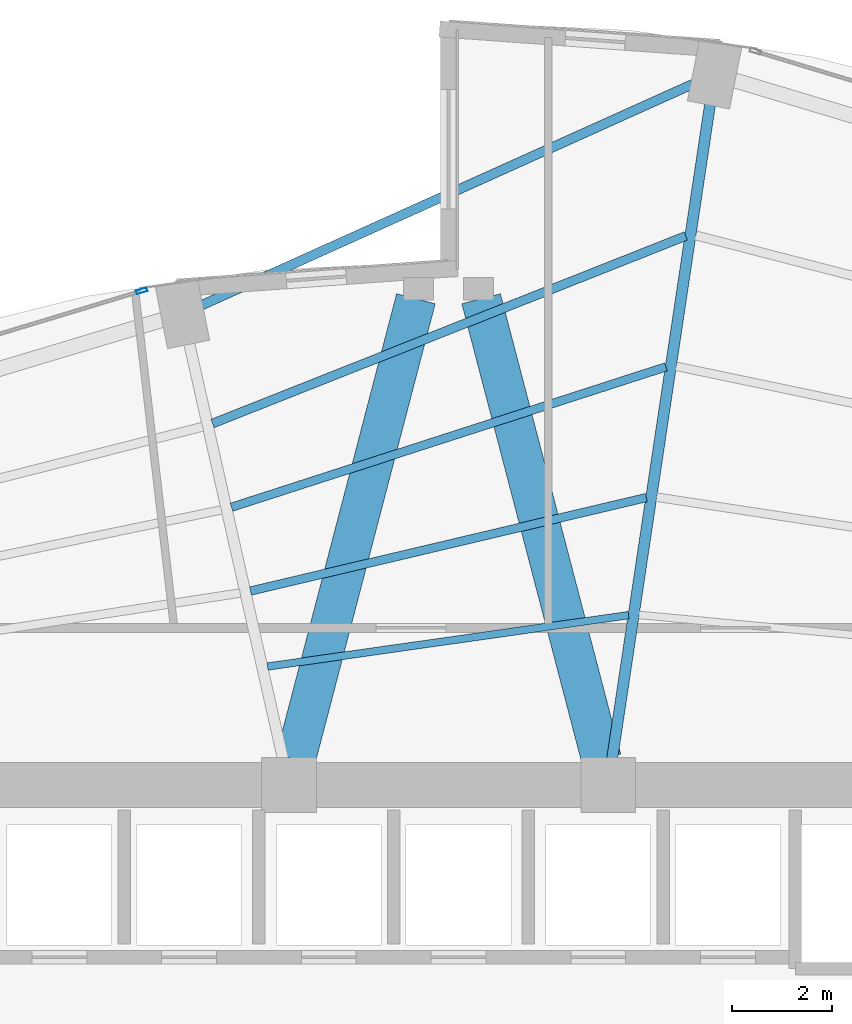
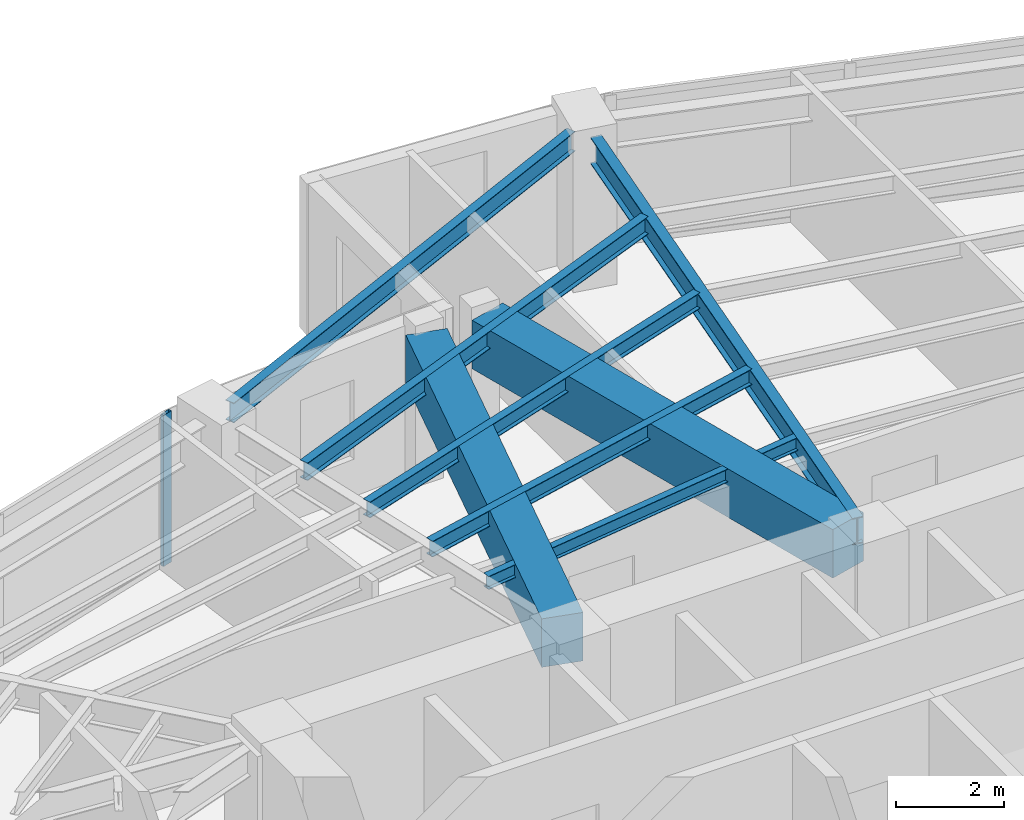
# One storey, part 15 of 24: 8 beams, 1 member, 1 element without a shape of its own.
"""IFC4 building model written with IfcOpenShell, lengths in metres."""

from ifc_helpers import new_model, si_unit, direction, frame, origin, origin_2d, place, context, subcontext, project, spatial, rectangle, hollow_rectangle, i_section, extrude, material, layer, layer_set, material_profile, profile_set, type_object, element, aggregate, save


model = new_model("IFC4")

# Units and contexts
model_context = context("Model", 3, precision=1e-05, world=origin(), true_north=direction((0.0, 1.0)))
body_context = subcontext(model_context, "Body", "Model", "MODEL_VIEW")
ifc_project = project(units=[si_unit("LENGTHUNIT", "METRE"), si_unit("AREAUNIT", "SQUARE_METRE"), si_unit("VOLUMEUNIT", "CUBIC_METRE"), si_unit("PLANEANGLEUNIT", "RADIAN"), si_unit("MASSUNIT", "GRAM", prefix="KILO")], contexts=[model_context])

# Site, building, storey
site_placement = place(None, origin())
site = spatial("IfcSite", under=ifc_project, at=site_placement, CompositionType="ELEMENT")
building_placement = place(site_placement, origin())
building = spatial("IfcBuilding", under=site, at=building_placement, Name="Lazwardi Medical Tower", CompositionType="ELEMENT")
storey_placement = place(building_placement, frame((0.0, 0.0, 68.97607421875)))
storey = spatial("IfcBuildingStorey", under=building, at=storey_placement, Name="L17", CompositionType="ELEMENT", Elevation=68.97607421875)

# Beams
ifc_material_1 = material(Name="Concrete C70/85", Category="concrete")
ifc_material_profile_1 = material_profile(ifc_material_1, rectangle(XDim=0.800048828125, YDim=1.10009765625, at=origin_2d()), Name="RC 800x1100")
ifc_profile_set_1 = profile_set([ifc_material_profile_1], Name="Concrete C70/85")
beam_type_1 = type_object("IfcBeamType", Name="BM-CB-RC1", PredefinedType="LINTEL", material=ifc_profile_set_1)
for number, where, z_axis, x_axis, name in (
    (1, (32.935302734375, 36.11767578125, 2.8779296875), (0.252819877511, 0.967513364009, 0.0), (-0.967513364009, 0.252819877511, 0.0), "Core coupling lintel CB-01 PL1 L17"),
    (2, (39.064697265625, 36.11767578125, 2.8779296875), (-0.252819877511, 0.967513364009, 0.0), (-0.967513364009, -0.252819877511, 0.0), "Core coupling lintel CB-01 PL2 L17"),
):
    element("IfcBeam", number, at=place(storey_placement, frame(where, z_axis=z_axis, x_axis=x_axis)), inside=storey, type_object=beam_type_1, Name=name, PredefinedType="LINTEL", context=body_context, shape_type="SweptSolid", body=[
        extrude(rectangle(XDim=0.800048828125, YDim=1.10009765625, at=origin_2d()), origin(), (0.0, 0.0, 1.0), 9.538818359375),
    ])
ifc_material_2 = material(Name="Steel S355", Category="steel")
ifc_material_profile_2 = material_profile(ifc_material_2, i_section(OverallWidth=0.219970703125, OverallDepth=0.60009765625, WebThickness=0.011962890625, FlangeThickness=0.01904296875, at=origin_2d()), Name="IPE 600")
ifc_profile_set_2 = profile_set([ifc_material_profile_2], Name="Steel S355")
beam_type_2 = type_object("IfcBeamType", Name="BM-RG-W1", PredefinedType="BEAM", material=ifc_profile_set_2)
beam_1_placement = place(storey_placement, frame((41.2451171875, 49.2705078125, 3.1279296875), z_axis=(-0.147944218183, -0.98899570692, 0.0), x_axis=(0.98899570692, -0.147944218183, 0.0)))
element("IfcBeam", 3, at=beam_1_placement, inside=storey, type_object=beam_type_2, Name="Radial girder RG-02 R08 L17", PredefinedType="BEAM", context=body_context, shape_type="SweptSolid", body=[
    extrude(i_section(OverallWidth=0.219970703125, OverallDepth=0.60009765625, WebThickness=0.011962890625, FlangeThickness=0.01904296875, at=origin_2d()), origin(), (0.0, 0.0, 1.0), 13.28759765625),
])
ifc_material_profile_3 = material_profile(ifc_material_2, i_section(OverallWidth=0.179931640625, OverallDepth=0.39990234375, WebThickness=0.008544921875, FlangeThickness=0.013427734375, at=origin_2d()), Name="IPE 400")
ifc_profile_set_3 = profile_set([ifc_material_profile_3], Name="Steel S355")
beam_type_3 = type_object("IfcBeamType", Name="BM-SJ-01", PredefinedType="JOIST", material=ifc_profile_set_3)
beam_2_placement = place(storey_placement, frame((40.754150390625, 46.603515625, 3.22802734375), z_axis=(-0.929663713752, -0.368409255222, 0.0), x_axis=(0.368409255222, -0.929663713752, 0.0)))
element("IfcBeam", 4, at=beam_2_placement, inside=storey, type_object=beam_type_3, Name="Secondary joist SJ-01 R1 B08 L17", PredefinedType="JOIST", context=body_context, shape_type="SweptSolid", body=[
    extrude(i_section(OverallWidth=0.179931640625, OverallDepth=0.39990234375, WebThickness=0.008544921875, FlangeThickness=0.013427734375, at=origin_2d()), origin(), (0.0, 0.0, 1.0), 10.2001953125),
])
ifc_material_profile_4 = material_profile(ifc_material_2, i_section(OverallWidth=0.169921875, OverallDepth=0.360107421875, WebThickness=0.008056640625, FlangeThickness=0.0126953125, at=origin_2d()), Name="IPE 360")
ifc_profile_set_4 = profile_set([ifc_material_profile_4], Name="Steel S355")
beam_type_4 = type_object("IfcBeamType", Name="BM-SJ-02", PredefinedType="JOIST", material=ifc_profile_set_4)
beam_3_placement = place(storey_placement, frame((40.35888671875, 43.981689453125, 3.248046875), z_axis=(-0.951558895485, -0.307466532199, 0.0), x_axis=(0.307466532199, -0.951558895485, 0.0)))
element("IfcBeam", 5, at=beam_3_placement, inside=storey, type_object=beam_type_4, Name="Secondary joist SJ-02 R2 B08 L17", PredefinedType="JOIST", context=body_context, shape_type="SweptSolid", body=[
    extrude(i_section(OverallWidth=0.169921875, OverallDepth=0.360107421875, WebThickness=0.008056640625, FlangeThickness=0.0126953125, at=origin_2d()), origin(), (0.0, 0.0, 1.0), 9.1513671875),
])
beam_4_placement = place(storey_placement, frame((39.96337890625, 41.361572265625, 3.248046875), z_axis=(-0.973240904247, -0.229787167397, 0.0), x_axis=(0.229787167397, -0.973240904247, 0.0)))
element("IfcBeam", 6, at=beam_4_placement, inside=storey, type_object=beam_type_4, Name="Secondary joist SJ-02 R3 B08 L17", PredefinedType="JOIST", context=body_context, shape_type="SweptSolid", body=[
    extrude(i_section(OverallWidth=0.169921875, OverallDepth=0.360107421875, WebThickness=0.008056640625, FlangeThickness=0.0126953125, at=origin_2d()), origin(), (0.0, 0.0, 1.0), 8.151123046875),
])
ifc_material_profile_5 = material_profile(ifc_material_2, i_section(OverallWidth=0.14990234375, OverallDepth=0.300048828125, WebThickness=0.007080078125, FlangeThickness=0.0107421875, at=origin_2d()), Name="IPE 300")
ifc_profile_set_5 = profile_set([ifc_material_profile_5], Name="Steel S355")
beam_type_5 = type_object("IfcBeamType", Name="BM-SJ-03", PredefinedType="JOIST", material=ifc_profile_set_5)
beam_5_placement = place(storey_placement, frame((39.607666015625, 39.00537109375, 3.27783203125), z_axis=(-0.99001552228, -0.140958382672, 0.0), x_axis=(0.140958382672, -0.99001552228, 0.0)))
element("IfcBeam", 7, at=beam_5_placement, inside=storey, type_object=beam_type_5, Name="Secondary joist SJ-03 R4 B08 L17", PredefinedType="JOIST", context=body_context, shape_type="SweptSolid", body=[
    extrude(i_section(OverallWidth=0.14990234375, OverallDepth=0.300048828125, WebThickness=0.007080078125, FlangeThickness=0.0107421875, at=origin_2d()), origin(), (0.0, 0.0, 1.0), 7.30908203125),
])
ifc_material_profile_6 = material_profile(ifc_material_2, i_section(OverallWidth=0.18994140625, OverallDepth=0.449951171875, WebThickness=0.009521484375, FlangeThickness=0.0146484375, at=origin_2d()), Name="IPE 450")
ifc_profile_set_6 = profile_set([ifc_material_profile_6], Name="Steel S355")
beam_type_6 = type_object("IfcBeamType", Name="BM-SP-01", PredefinedType="SPANDREL", material=ifc_profile_set_6)
beam_6_placement = place(storey_placement, frame((40.94775390625, 49.671630859375, 3.202880859375), z_axis=(-0.91184908894, -0.410525564368, 0.0), x_axis=(0.410525564368, -0.91184908894, 0.0)))
element("IfcBeam", 8, at=beam_6_placement, inside=storey, type_object=beam_type_6, Name="Spandrel beam SP-01 B08 L17", PredefinedType="SPANDREL", context=body_context, shape_type="SweptSolid", body=[
    extrude(i_section(OverallWidth=0.18994140625, OverallDepth=0.449951171875, WebThickness=0.009521484375, FlangeThickness=0.0146484375, at=origin_2d()), origin(), (0.0, 0.0, 1.0), 10.85205078125),
])

# Curtain wall, member
ifc_material_3 = material(Name="Anodised bronze aluminium and solar control glazing", Category="aluminium")
ifc_layer = layer(ifc_material_3, 0.199951171875)
ifc_layer_set = layer_set([ifc_layer], Name="Anodised bronze aluminium and solar control glazing")
curtain_wall_type = type_object("IfcCurtainWallType", Name="CW-SYS-02", PredefinedType="NOTDEFINED", material=ifc_layer_set)
curtain_wall_placement = place(storey_placement, origin())
curtain_wall = element("IfcCurtainWall", 9, at=curtain_wall_placement, inside=storey, type_object=curtain_wall_type, Name="L17 Unitised bronze curtain wall CW-02", PredefinedType="NOTDEFINED")
ifc_material_4 = material(Name="Anodised bronze aluminium", Category="aluminium")
ifc_material_profile_7 = material_profile(ifc_material_4, hollow_rectangle(XDim=0.074951171875, YDim=0.219970703125, WallThickness=0.00390625, at=origin_2d()), Name="ALU-MULLION 220x75x4")
ifc_profile_set_7 = profile_set([ifc_material_profile_7], Name="Anodised bronze aluminium")
member_type = type_object("IfcMemberType", Name="CW-MUL-01", PredefinedType="MULLION", material=ifc_profile_set_7)
member_placement = place(storey_placement, frame((29.85205078125, 45.503662109375, 0.0), z_axis=(0.0, 0.0, 1.0), x_axis=(0.2898956909, -0.957058247129, 0.0)))
member = element("IfcMember", 10, at=member_placement, type_object=member_type, Name="CW-02 mullion 1", PredefinedType="MULLION", context=body_context, shape_type="SweptSolid", body=[
    extrude(hollow_rectangle(XDim=0.074951171875, YDim=0.219970703125, WallThickness=0.00390625, at=origin_2d()), origin(), (0.0, 0.0, 1.0), 3.427978515625),
])
aggregate(curtain_wall, [member])

save(model, "model.ifc")
